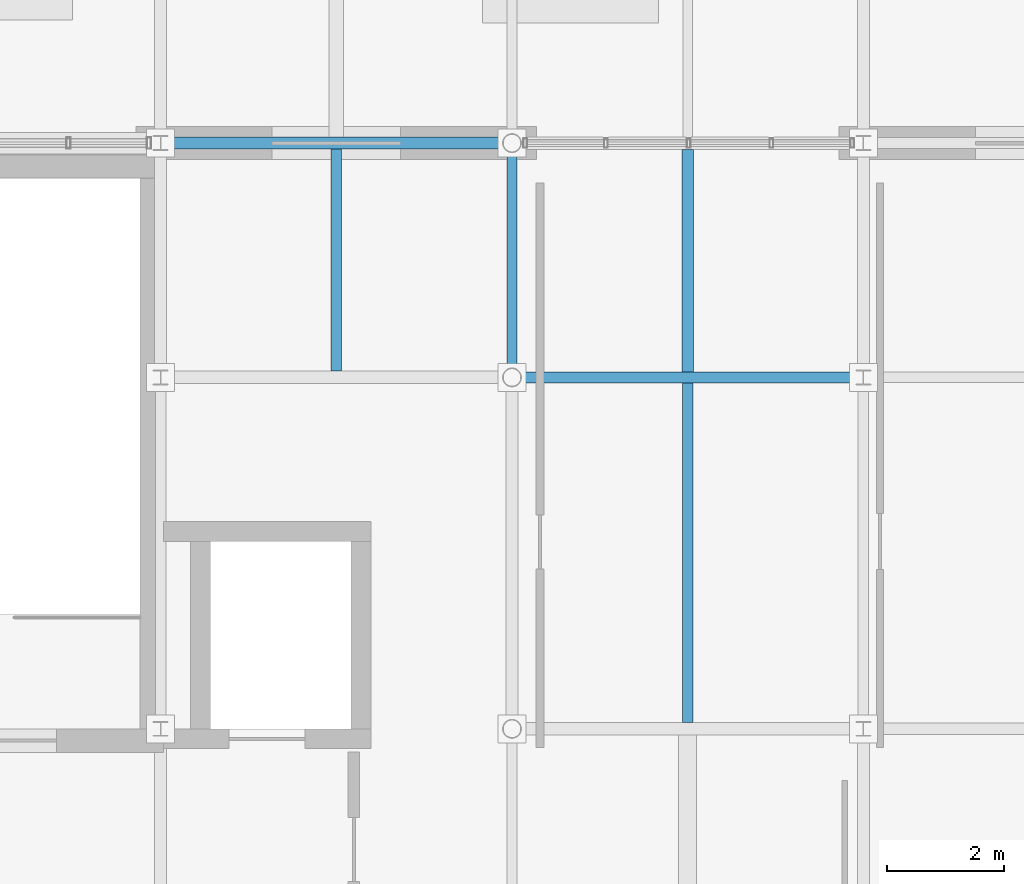
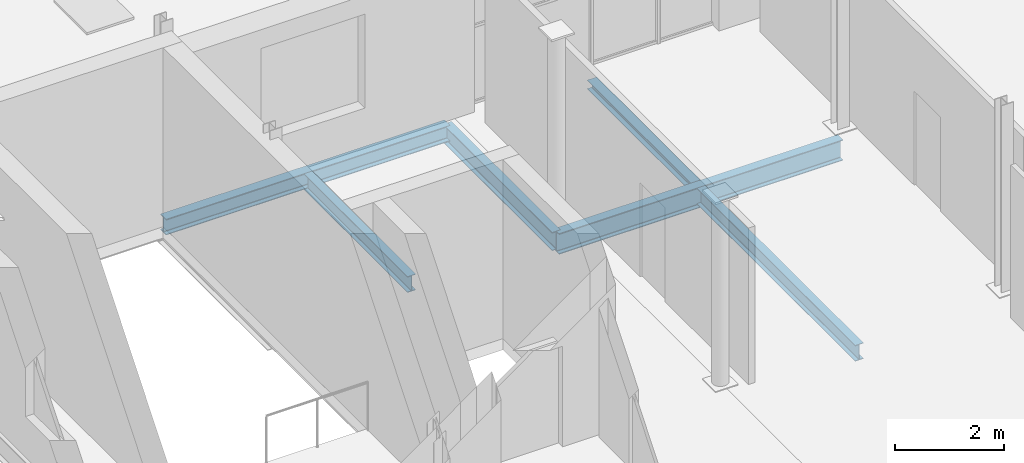
# One storey, part 16 of 27: 6 beams.
"""IFC4 building model written with IfcOpenShell, lengths in metres."""

from ifc_helpers import new_model, si_unit, direction, frame, origin, origin_2d, place, context, subcontext, project, spatial, i_section, extrude, material, material_profile, profile_set, type_object, element, save


model = new_model("IFC4")

# Units and contexts
model_context = context("Model", 3, precision=1e-05, world=origin(), true_north=direction((0.0, 1.0)))
body_context = subcontext(model_context, "Body", "Model", "MODEL_VIEW")
ifc_project = project(units=[si_unit("LENGTHUNIT", "METRE"), si_unit("AREAUNIT", "SQUARE_METRE"), si_unit("VOLUMEUNIT", "CUBIC_METRE"), si_unit("PLANEANGLEUNIT", "RADIAN"), si_unit("MASSUNIT", "GRAM", prefix="KILO")], contexts=[model_context])

# Site, building, storey
site_placement = place(None, origin())
site = spatial("IfcSite", under=ifc_project, at=site_placement, CompositionType="ELEMENT")
building_placement = place(site_placement, origin())
building = spatial("IfcBuilding", under=site, at=building_placement, Name="Verrall Gate Interchange", CompositionType="ELEMENT")
storey_placement = place(building_placement, frame((0.0, 0.0, 28.60009765625)))
storey = spatial("IfcBuildingStorey", under=building, at=storey_placement, Name="L07", CompositionType="ELEMENT", Elevation=28.60009765625)

# Beams
ifc_material_1 = material(Name="Structural Steel CSA G40.21 350W", Category="steel")
ifc_material_profile_1 = material_profile(ifc_material_1, i_section(OverallWidth=0.19189453125, OverallDepth=0.462890625, WebThickness=0.010498046875, FlangeThickness=0.017578125, FilletRadius=0.012939453125, at=origin_2d()), Name="W460x89")
ifc_profile_set_1 = profile_set([ifc_material_profile_1], Name="Structural Steel CSA G40.21 350W")
beam_type_1 = type_object("IfcBeamType", Name="B-11 Structural Beam W460x89", PredefinedType="BEAM", material=ifc_profile_set_1)
beam_1_placement = place(storey_placement, frame((18.0, 40.0, -0.49169921875), z_axis=(1.0, 0.0, 0.0), x_axis=(0.0, 1.0, 0.0)))
element("IfcBeam", 1, at=beam_1_placement, inside=storey, type_object=beam_type_1, Name="L07 Girder BM-L07-3248 (B-11)", PredefinedType="BEAM", context=body_context, shape_type="SweptSolid", body=[
    extrude(i_section(OverallWidth=0.19189453125, OverallDepth=0.462890625, WebThickness=0.010498046875, FlangeThickness=0.017578125, FilletRadius=0.012939453125, at=origin_2d()), origin(), (0.0, 0.0, 1.0), 6.0),
])
ifc_material_2 = material(Name="Structural Steel CSA G40.21 350W", Category="steel")
ifc_material_profile_2 = material_profile(ifc_material_2, i_section(OverallWidth=0.178955078125, OverallDepth=0.409912109375, WebThickness=0.0087890625, FlangeThickness=0.014404296875, FilletRadius=0.011962890625, at=origin_2d()), Name="W410x67")
ifc_profile_set_2 = profile_set([ifc_material_profile_2], Name="Structural Steel CSA G40.21 350W")
beam_type_2 = type_object("IfcBeamType", Name="B-12 Structural Beam W410x67", PredefinedType="BEAM", material=ifc_profile_set_2)
beam_2_placement = place(storey_placement, frame((18.0, 40.0, -0.465087890625), z_axis=(0.0, 1.0, 0.0), x_axis=(-1.0, 0.0, 0.0)))
element("IfcBeam", 2, at=beam_2_placement, inside=storey, type_object=beam_type_2, Name="L07 Girder BM-L07-3288 (B-12)", PredefinedType="BEAM", context=body_context, shape_type="SweptSolid", body=[
    extrude(i_section(OverallWidth=0.178955078125, OverallDepth=0.409912109375, WebThickness=0.0087890625, FlangeThickness=0.014404296875, FilletRadius=0.011962890625, at=origin_2d()), origin(), (0.0, 0.0, 1.0), 4.0),
])
ifc_material_3 = material(Name="Structural Steel CSA G40.21 350W", Category="steel")
ifc_material_profile_3 = material_profile(ifc_material_3, i_section(OverallWidth=0.205078125, OverallDepth=0.35400390625, WebThickness=0.009521484375, FlangeThickness=0.016845703125, FilletRadius=0.012939453125, at=origin_2d()), Name="W360x79")
ifc_profile_set_3 = profile_set([ifc_material_profile_3], Name="Structural Steel CSA G40.21 350W")
beam_type_3 = type_object("IfcBeamType", Name="B-14 Structural Beam W360x79", PredefinedType="BEAM", material=ifc_profile_set_3)
beam_3_placement = place(storey_placement, frame((12.0, 44.0, -0.43701171875), z_axis=(1.0, 0.0, 0.0), x_axis=(0.0, 1.0, 0.0)))
element("IfcBeam", 3, at=beam_3_placement, inside=storey, type_object=beam_type_3, Name="L07 Girder BM-L07-3252 (B-14)", PredefinedType="BEAM", context=body_context, shape_type="SweptSolid", body=[
    extrude(i_section(OverallWidth=0.205078125, OverallDepth=0.35400390625, WebThickness=0.009521484375, FlangeThickness=0.016845703125, FilletRadius=0.012939453125, at=origin_2d()), origin(), (0.0, 0.0, 1.0), 6.0),
])
ifc_material_4 = material(Name="Structural Steel CSA G40.21 350W", Category="steel")
ifc_material_profile_4 = material_profile(ifc_material_4, i_section(OverallWidth=0.172119140625, OverallDepth=0.35791015625, WebThickness=0.0078125, FlangeThickness=0.01318359375, FilletRadius=0.010986328125, at=origin_2d()), Name="W360x57")
ifc_profile_set_4 = profile_set([ifc_material_profile_4], Name="Structural Steel CSA G40.21 350W")
beam_type_4 = type_object("IfcBeamType", Name="J-01 Floor Joist W360x57", PredefinedType="JOIST", material=ifc_profile_set_4)
beam_4_placement = place(storey_placement, frame((21.0, 34.10546875, -0.439208984375), z_axis=(0.0, 1.0, 0.0), x_axis=(-1.0, 0.0, 0.0)))
element("IfcBeam", 4, at=beam_4_placement, inside=storey, type_object=beam_type_4, Name="L07 Secondary Floor Joist JST-L07-3336", PredefinedType="JOIST", context=body_context, shape_type="SweptSolid", body=[
    extrude(i_section(OverallWidth=0.172119140625, OverallDepth=0.35791015625, WebThickness=0.0078125, FlangeThickness=0.01318359375, FilletRadius=0.010986328125, at=origin_2d()), origin(), (0.0, 0.0, 1.0), 5.798583984375),
])
beam_5_placement = place(storey_placement, frame((15.0, 40.10546875, -0.439208984375), z_axis=(0.0, 1.0, 0.0), x_axis=(-1.0, 0.0, 0.0)))
element("IfcBeam", 5, at=beam_5_placement, inside=storey, type_object=beam_type_4, Name="L07 Secondary Floor Joist JST-L07-3339", PredefinedType="JOIST", context=body_context, shape_type="SweptSolid", body=[
    extrude(i_section(OverallWidth=0.172119140625, OverallDepth=0.35791015625, WebThickness=0.0078125, FlangeThickness=0.01318359375, FilletRadius=0.010986328125, at=origin_2d()), origin(), (0.0, 0.0, 1.0), 3.7919921875),
])
ifc_material_5 = material(Name="Structural Steel CSA G40.21 350W", Category="steel")
ifc_material_profile_5 = material_profile(ifc_material_5, i_section(OverallWidth=0.202880859375, OverallDepth=0.202880859375, WebThickness=0.007080078125, FlangeThickness=0.010986328125, FilletRadius=0.010009765625, at=origin_2d()), Name="W200x46")
ifc_profile_set_5 = profile_set([ifc_material_profile_5], Name="Structural Steel CSA G40.21 350W")
beam_type_5 = type_object("IfcBeamType", Name="J-07 Floor Joist W200x46", PredefinedType="JOIST", material=ifc_profile_set_5)
beam_6_placement = place(storey_placement, frame((21.0, 40.095947265625, -0.361572265625), z_axis=(0.0, 1.0, 0.0), x_axis=(-1.0, 0.0, 0.0)))
element("IfcBeam", 6, at=beam_6_placement, inside=storey, type_object=beam_type_5, Name="L07 Secondary Floor Joist JST-L07-3340", PredefinedType="JOIST", context=body_context, shape_type="SweptSolid", body=[
    extrude(i_section(OverallWidth=0.202880859375, OverallDepth=0.202880859375, WebThickness=0.007080078125, FlangeThickness=0.010986328125, FilletRadius=0.010009765625, at=origin_2d()), origin(), (0.0, 0.0, 1.0), 3.798583984375),
])

save(model, "model.ifc")
